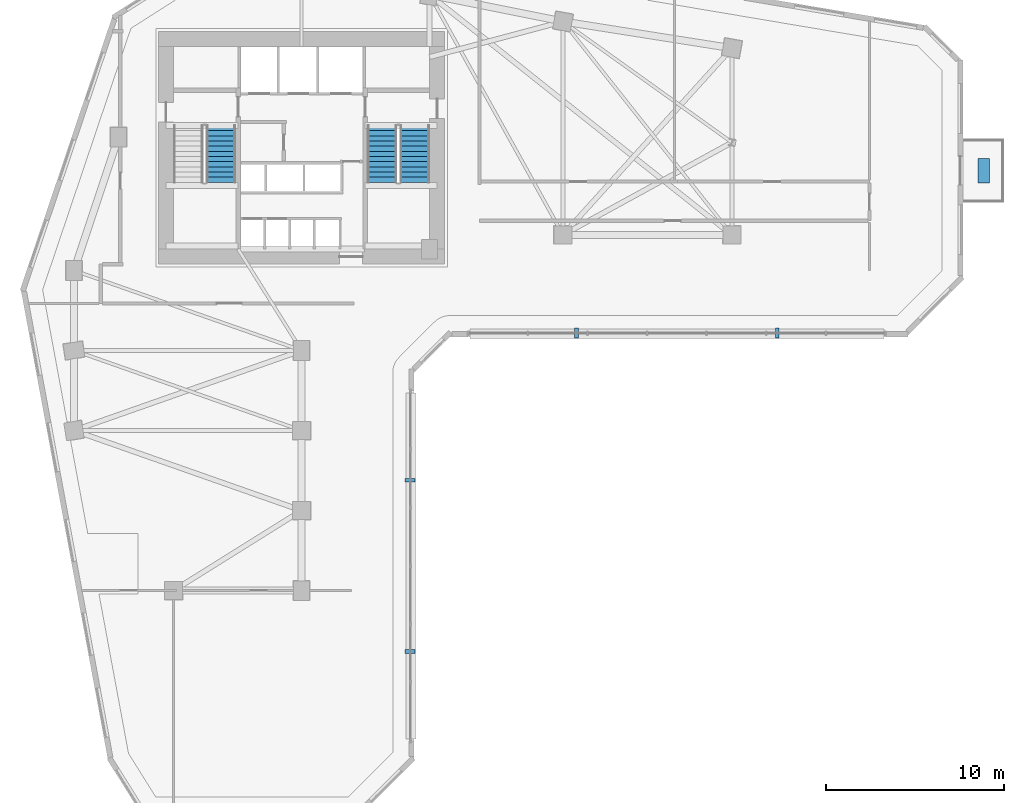
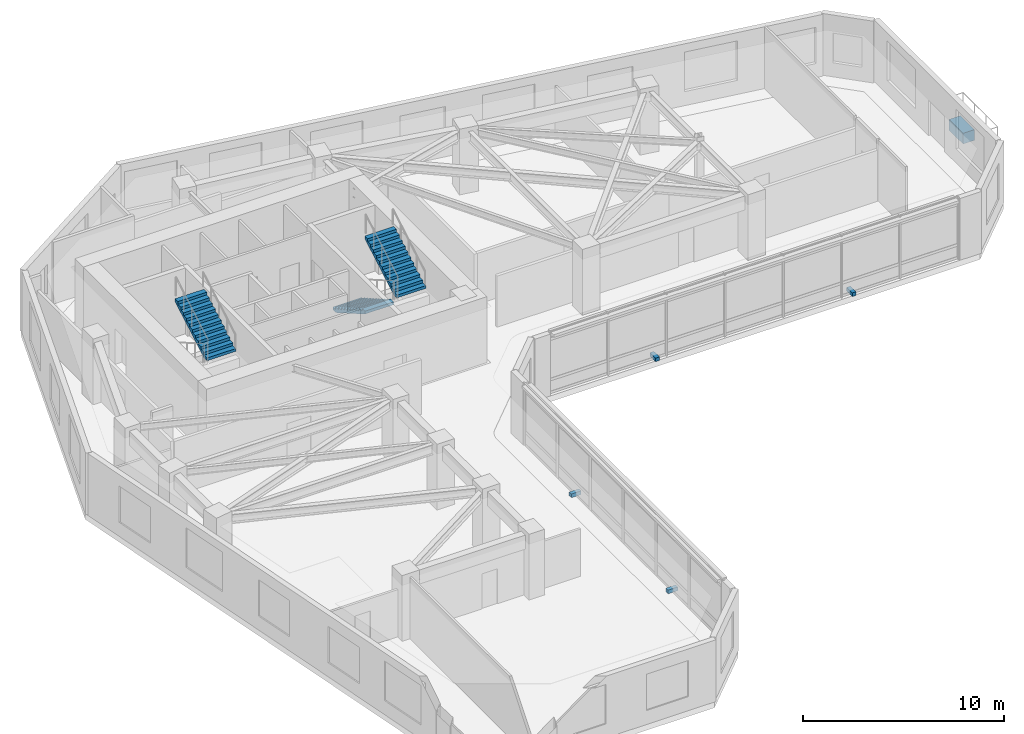
# One storey, part 8 of 11: 5 discrete accessories, 3 stair flights, 2 elements without a shape of their own.
"""IFC4 building model written with IfcOpenShell, lengths in metres."""

from ifc_helpers import new_model, si_unit, direction, frame, origin, origin_2d, place, context, subcontext, project, spatial, polyline, rectangle, outline, extrude, source, transform, mapped, material, type_object, element, aggregate, save


model = new_model("IFC4")

# Units and contexts
model_context = context("Model", 3, precision=1e-05, world=origin(), true_north=direction((0.0, 1.0)))
body_context = subcontext(model_context, "Body", "Model", "MODEL_VIEW")
ifc_project = project(units=[si_unit("LENGTHUNIT", "METRE"), si_unit("AREAUNIT", "SQUARE_METRE"), si_unit("VOLUMEUNIT", "CUBIC_METRE"), si_unit("PLANEANGLEUNIT", "RADIAN"), si_unit("MASSUNIT", "GRAM", prefix="KILO")], contexts=[model_context])

# Site, building, storey
site_placement = place(None, origin())
site = spatial("IfcSite", under=ifc_project, at=site_placement, CompositionType="ELEMENT")
building_placement = place(site_placement, origin())
building = spatial("IfcBuilding", under=site, at=building_placement, Name="Calvemar Wedge Station Tower", CompositionType="ELEMENT")
storey_placement = place(building_placement, frame((0.0, 0.0, 27.0)))
storey = spatial("IfcBuildingStorey", under=building, at=storey_placement, Name="L06", CompositionType="ELEMENT", Elevation=27.0)

# Stair, stair flight
ifc_material_1 = material(Name="Concrete C45", Category="concrete")
stair_type = type_object("IfcStairType", Name="ST-TYPE-4000", PredefinedType="HALF_TURN_STAIR", material=ifc_material_1)
stair_1_placement = place(storey_placement, origin())
stair_1 = element("IfcStair", 1, at=stair_1_placement, inside=storey, type_object=stair_type, Name="L06 Pressurized Core Exit Stair ST-C1", PredefinedType="HALF_TURN_STAIR")
stair_flight_type = type_object("IfcStairFlightType", Name="STF-TYPE-4000", PredefinedType="STRAIGHT", material=ifc_material_1)
stair_flight_1_placement = place(storey_placement, frame((19.27001953125, 37.9599609375, 2.0), z_axis=(0.0, 0.0, 1.0), x_axis=(0.0, 1.0, 0.0)))
stair_flight_1 = element("IfcStairFlight", 2, at=stair_flight_1_placement, type_object=stair_flight_type, Name="ST-C1 flight 2", NumberOfRisers=12, NumberOfTreads=11, PredefinedType="STRAIGHT", RiserHeight=0.166666667, TreadLength=0.29, context=body_context, shape_type="SweptSolid", body=[
    extrude(outline(polyline([(0.0, 0.0), (0.0, 0.166748046875), (0.2900390625, 0.166748046875), (0.2900390625, 0.333251953125), (0.580078125, 0.333251953125), (0.580078125, 0.5), (0.8701171875, 0.5), (0.8701171875, 0.666748046875), (1.159912109375, 0.666748046875), (1.159912109375, 0.833251953125), (1.449951171875, 0.833251953125), (1.449951171875, 1.0), (1.739990234375, 1.0), (1.739990234375, 1.166748046875), (2.030029296875, 1.166748046875), (2.030029296875, 1.333251953125), (2.320068359375, 1.333251953125), (2.320068359375, 1.5), (2.610107421875, 1.5), (2.610107421875, 1.666748046875), (2.89990234375, 1.666748046875), (2.89990234375, 1.833251953125), (3.18994140625, 1.833251953125), (3.18994140625, 2.0), (3.18994140625, 1.660400390625), (0.30078125, 0.0), (0.0, 0.0)])), frame((0.0, 0.830078125, 0.0), z_axis=(0.0, -1.0, 0.0), x_axis=(1.0, 0.0, 0.0)), (0.0, 0.0, 1.0), 1.659912109375),
])
aggregate(stair_1, [stair_flight_1])

# Stair, stair flights
stair_2_placement = place(storey_placement, origin())
stair_2 = element("IfcStair", 3, at=stair_2_placement, inside=storey, type_object=stair_type, Name="L06 Pressurized Core Exit Stair ST-C2", PredefinedType="HALF_TURN_STAIR")
stair_flight_2_placement = place(storey_placement, frame((28.330078125, 41.14990234375, 0.0), z_axis=(0.0, 0.0, 1.0), x_axis=(0.0, -1.0, 0.0)))
stair_flight_2 = element("IfcStairFlight", 4, at=stair_flight_2_placement, type_object=stair_flight_type, Name="ST-C2 flight 1", NumberOfRisers=12, NumberOfTreads=11, PredefinedType="STRAIGHT", RiserHeight=0.166666667, TreadLength=0.29, context=body_context, shape_type="SweptSolid", body=[
    extrude(outline(polyline([(0.0, 0.0), (0.0, 0.166748046875), (0.2900390625, 0.166748046875), (0.2900390625, 0.333251953125), (0.580078125, 0.333251953125), (0.580078125, 0.5), (0.8701171875, 0.5), (0.8701171875, 0.666748046875), (1.159912109375, 0.666748046875), (1.159912109375, 0.833251953125), (1.449951171875, 0.833251953125), (1.449951171875, 1.0), (1.739990234375, 1.0), (1.739990234375, 1.166748046875), (2.030029296875, 1.166748046875), (2.030029296875, 1.333251953125), (2.320068359375, 1.333251953125), (2.320068359375, 1.5), (2.610107421875, 1.5), (2.610107421875, 1.666748046875), (2.89990234375, 1.666748046875), (2.89990234375, 1.833251953125), (3.18994140625, 1.833251953125), (3.18994140625, 2.0), (3.18994140625, 1.660400390625), (0.30078125, 0.0), (0.0, 0.0)])), frame((0.0, 0.830078125, 0.0), z_axis=(0.0, -1.0, 0.0), x_axis=(1.0, 0.0, 0.0)), (0.0, 0.0, 1.0), 1.659912109375),
])
stair_flight_3_placement = place(storey_placement, frame((30.169921875, 37.9599609375, 2.0), z_axis=(0.0, 0.0, 1.0), x_axis=(0.0, 1.0, 0.0)))
stair_flight_3 = element("IfcStairFlight", 5, at=stair_flight_3_placement, type_object=stair_flight_type, Name="ST-C2 flight 2", NumberOfRisers=12, NumberOfTreads=11, PredefinedType="STRAIGHT", RiserHeight=0.166666667, TreadLength=0.29, context=body_context, shape_type="SweptSolid", body=[
    extrude(outline(polyline([(0.0, 0.0), (0.0, 0.166748046875), (0.2900390625, 0.166748046875), (0.2900390625, 0.333251953125), (0.580078125, 0.333251953125), (0.580078125, 0.5), (0.8701171875, 0.5), (0.8701171875, 0.666748046875), (1.159912109375, 0.666748046875), (1.159912109375, 0.833251953125), (1.449951171875, 0.833251953125), (1.449951171875, 1.0), (1.739990234375, 1.0), (1.739990234375, 1.166748046875), (2.030029296875, 1.166748046875), (2.030029296875, 1.333251953125), (2.320068359375, 1.333251953125), (2.320068359375, 1.5), (2.610107421875, 1.5), (2.610107421875, 1.666748046875), (2.89990234375, 1.666748046875), (2.89990234375, 1.833251953125), (3.18994140625, 1.833251953125), (3.18994140625, 2.0), (3.18994140625, 1.660400390625), (0.30078125, 0.0), (0.0, 0.0)])), frame((0.0, 0.830078125, 0.0), z_axis=(0.0, -1.0, 0.0), x_axis=(1.0, 0.0, 0.0)), (0.0, 0.0, 1.0), 1.659912109375),
])
aggregate(stair_2, [stair_flight_2, stair_flight_3])

# Discrete accessories
ifc_material_2 = material(Name="Stainless steel AISI 316L", Category="steel")
discrete_accessory_type_1 = type_object("IfcDiscreteAccessoryType", Name="BRK-316L", PredefinedType="BRACKET", material=ifc_material_2)
shared_shape_1 = source(origin(), body_context, "Body", "SweptSolid", [
    extrude(rectangle(XDim=0.219970703125, YDim=0.56005859375, at=origin_2d()), origin(), (0.0, 0.0, 1.0), 0.219970703125),
])
for number, where, z_axis, x_axis, name in (
    (6, (29.89794921875, 11.5830078125, 0.0), (0.0, 0.0, 1.0), (0.0, 1.0, 0.0), "Storey L06 Recessed Facade Stainless Bracket 4.1"),
    (7, (29.89794921875, 21.201416015625, 0.0), (0.0, 0.0, 1.0), (0.0, 1.0, 0.0), "Storey L06 Recessed Facade Stainless Bracket 4.2"),
    (8, (39.25390625, 29.489990234375, 0.0), (0.0, 0.0, 1.0), (1.0, 0.0, 0.0), "Storey L06 Recessed Facade Stainless Bracket 6.1"),
    (9, (50.5498046875, 29.489990234375, 0.0), (0.0, 0.0, 1.0), (1.0, 0.0, 0.0), "Storey L06 Recessed Facade Stainless Bracket 6.2"),
):
    element("IfcDiscreteAccessory", number, at=place(storey_placement, frame(where, z_axis=z_axis, x_axis=x_axis)), inside=storey, type_object=discrete_accessory_type_1, Name=name, PredefinedType="BRACKET", context=body_context, shape_type="MappedRepresentation", body=[
        mapped(shared_shape_1, transform((0.0, 0.0, 0.0), scale=1.0)),
    ])
ifc_material_3 = material(Name="Precast concrete C45", Category="concrete")
discrete_accessory_type_2 = type_object("IfcDiscreteAccessoryType", Name="ACC-PLANTER", PredefinedType="USERDEFINED", material=ifc_material_3)
shared_shape_2 = source(origin(), body_context, "Body", "SweptSolid", [
    extrude(rectangle(XDim=0.64990234375, YDim=1.39990234375, at=origin_2d()), origin(), (0.0, 0.0, 1.0), 0.64990234375),
])
discrete_accessory_placement = place(storey_placement, frame((62.14990234375, 38.610107421875, 0.0), z_axis=(0.0, 0.0, 1.0), x_axis=(1.0, 0.0, 0.0)))
element("IfcDiscreteAccessory", 10, at=discrete_accessory_placement, inside=storey, type_object=discrete_accessory_type_2, Name="Storey L06 Planted Terrace GFRC Planter", ObjectType="PLANTER", PredefinedType="USERDEFINED", context=body_context, shape_type="MappedRepresentation", body=[
    mapped(shared_shape_2, transform((0.0, 0.0, 0.0), scale=1.0)),
])

save(model, "model.ifc")
